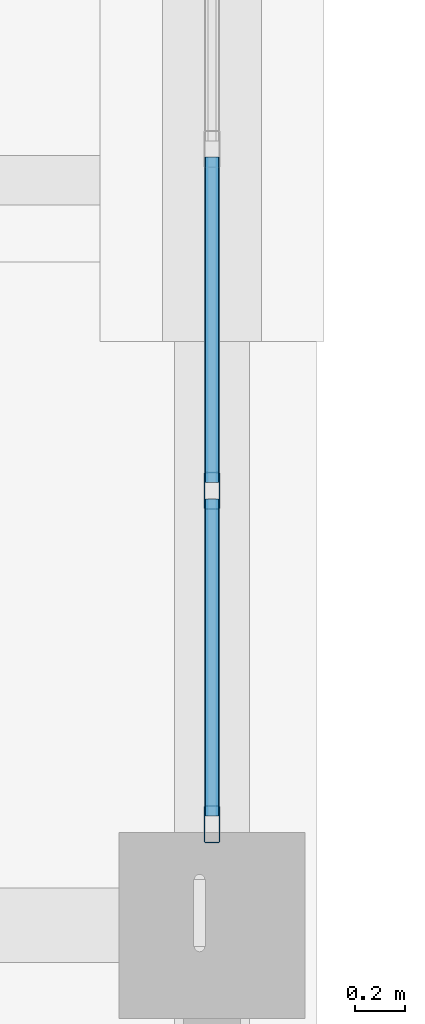
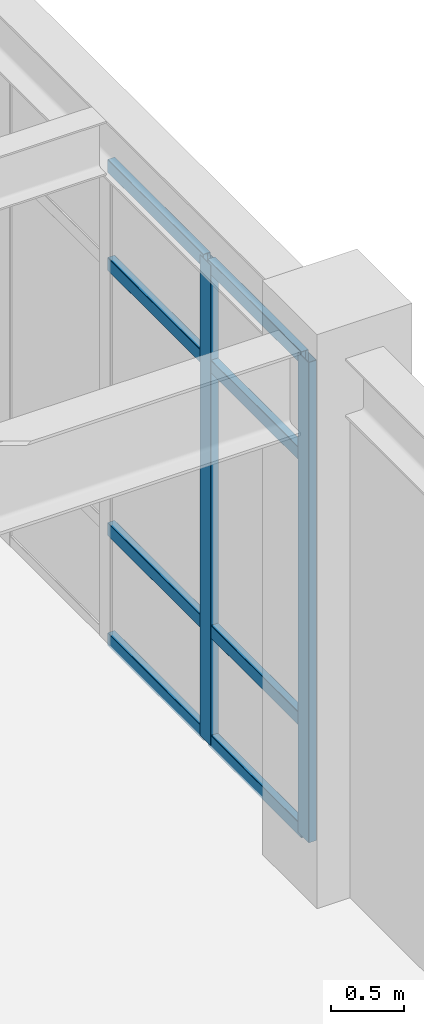
# One storey, part 37 of 98: 10 members, 1 element without a shape of its own.
"""IFC4 building model written with IfcOpenShell, lengths in metres."""

from ifc_helpers import new_model, si_unit, direction, frame, origin, origin_2d, place, context, subcontext, project, spatial, hollow_rectangle, extrude, material, material_profile, profile_set, type_object, element, aggregate, save


model = new_model("IFC4")

# Units and contexts
model_context = context("Model", 3, precision=1e-05, world=origin(), true_north=direction((0.0, 1.0)))
body_context = subcontext(model_context, "Body", "Model", "MODEL_VIEW")
ifc_project = project(units=[si_unit("LENGTHUNIT", "METRE"), si_unit("AREAUNIT", "SQUARE_METRE"), si_unit("VOLUMEUNIT", "CUBIC_METRE"), si_unit("PLANEANGLEUNIT", "RADIAN"), si_unit("MASSUNIT", "GRAM", prefix="KILO")], contexts=[model_context])

# Site, building, storey
site_placement = place(None, origin())
site = spatial("IfcSite", under=ifc_project, at=site_placement, CompositionType="ELEMENT")
building_placement = place(site_placement, origin())
building = spatial("IfcBuilding", under=site, at=building_placement, Name="Canglan Escarpment Cableway Terminal", CompositionType="ELEMENT")
storey_placement = place(building_placement, frame((0.0, 0.0, 9.60009765625)))
storey = spatial("IfcBuildingStorey", under=building, at=storey_placement, Name="L02", CompositionType="ELEMENT", Elevation=9.60009765625)

# Curtain wall, members
ifc_material_1 = material(Name="Anodized bronze aluminium and Low-E double glazing", Category="aluminium")
curtain_wall_type = type_object("IfcCurtainWallType", Name="CW-BAY-8250x4025", PredefinedType="NOTDEFINED", material=ifc_material_1)
curtain_wall_placement = place(storey_placement, origin())
curtain_wall = element("IfcCurtainWall", 1, at=curtain_wall_placement, inside=storey, type_object=curtain_wall_type, Name="Classical bay-between-piers glazed curtain wall CW-43", PredefinedType="NOTDEFINED")
ifc_material_2 = material(Name="Thermally broken anodized aluminium 6063-T6", Category="aluminium")
ifc_material_profile_1 = material_profile(ifc_material_2, hollow_rectangle(XDim=0.06494140625, YDim=0.14990234375, WallThickness=0.00341796875, InnerFilletRadius=0.00341796875, OuterFilletRadius=0.007080078125, at=origin_2d()), Name="ALU-MULL 65x150x3.5")
ifc_profile_set_1 = profile_set([ifc_material_profile_1], Name="Thermally broken anodized aluminium 6063-T6")
member_type_1 = type_object("IfcMemberType", Name="CWM-02", PredefinedType="MULLION", material=ifc_profile_set_1)
member_1_placement = place(storey_placement, frame((136.699951171875, 52.407470703125, 0.0), z_axis=(0.0, 0.0, 1.0), x_axis=(-1.0, 0.0, 0.0)))
member_1 = element("IfcMember", 2, at=member_1_placement, type_object=member_type_1, Name="CW-43 mullion 1", PredefinedType="MULLION", context=body_context, shape_type="SweptSolid", body=[
    extrude(hollow_rectangle(XDim=0.06494140625, YDim=0.14990234375, WallThickness=0.00341796875, InnerFilletRadius=0.00341796875, OuterFilletRadius=0.007080078125, at=origin_2d()), origin(), (0.0, 0.0, 1.0), 4.016845703125),
])
member_2_placement = place(storey_placement, frame((136.699951171875, 53.75, 0.0), z_axis=(0.0, 0.0, 1.0), x_axis=(-1.0, 0.0, 0.0)))
member_2 = element("IfcMember", 3, at=member_2_placement, type_object=member_type_1, Name="CW-43 mullion 2", PredefinedType="MULLION", context=body_context, shape_type="SweptSolid", body=[
    extrude(hollow_rectangle(XDim=0.06494140625, YDim=0.14990234375, WallThickness=0.00341796875, InnerFilletRadius=0.00341796875, OuterFilletRadius=0.007080078125, at=origin_2d()), origin(), (0.0, 0.0, 1.0), 4.016845703125),
])
ifc_material_profile_2 = material_profile(ifc_material_2, hollow_rectangle(XDim=0.06005859375, YDim=0.110107421875, WallThickness=0.0029296875, InnerFilletRadius=0.0029296875, OuterFilletRadius=0.006103515625, at=origin_2d()), Name="ALU-TRAN 60x110x3")
ifc_profile_set_2 = profile_set([ifc_material_profile_2], Name="Thermally broken anodized aluminium 6063-T6")
member_type_2 = type_object("IfcMemberType", Name="CWT-02", PredefinedType="USERDEFINED", material=ifc_profile_set_2)
member_3_placement = place(storey_placement, frame((136.699951171875, 52.43994140625, 0.02978515625), z_axis=(0.0, 1.0, 0.0), x_axis=(-1.0, 0.0, 0.0)))
member_3 = element("IfcMember", 4, at=member_3_placement, type_object=member_type_2, Name="CW-43 transom 1.1", ObjectType="TRANSOM", PredefinedType="USERDEFINED", context=body_context, shape_type="SweptSolid", body=[
    extrude(hollow_rectangle(XDim=0.06005859375, YDim=0.110107421875, WallThickness=0.0029296875, InnerFilletRadius=0.0029296875, OuterFilletRadius=0.006103515625, at=origin_2d()), origin(), (0.0, 0.0, 1.0), 1.277587890625),
])
member_4_placement = place(storey_placement, frame((136.699951171875, 52.43994140625, 0.949951171875), z_axis=(0.0, 1.0, 0.0), x_axis=(-1.0, 0.0, 0.0)))
member_4 = element("IfcMember", 5, at=member_4_placement, type_object=member_type_2, Name="CW-43 transom 1.2", ObjectType="TRANSOM", PredefinedType="USERDEFINED", context=body_context, shape_type="SweptSolid", body=[
    extrude(hollow_rectangle(XDim=0.06005859375, YDim=0.110107421875, WallThickness=0.0029296875, InnerFilletRadius=0.0029296875, OuterFilletRadius=0.006103515625, at=origin_2d()), origin(), (0.0, 0.0, 1.0), 1.277587890625),
])
member_5_placement = place(storey_placement, frame((136.699951171875, 52.43994140625, 3.1669921875), z_axis=(0.0, 1.0, 0.0), x_axis=(-1.0, 0.0, 0.0)))
member_5 = element("IfcMember", 6, at=member_5_placement, type_object=member_type_2, Name="CW-43 transom 1.3", ObjectType="TRANSOM", PredefinedType="USERDEFINED", context=body_context, shape_type="SweptSolid", body=[
    extrude(hollow_rectangle(XDim=0.06005859375, YDim=0.110107421875, WallThickness=0.0029296875, InnerFilletRadius=0.0029296875, OuterFilletRadius=0.006103515625, at=origin_2d()), origin(), (0.0, 0.0, 1.0), 1.277587890625),
])
member_6_placement = place(storey_placement, frame((136.699951171875, 52.43994140625, 3.98681640625), z_axis=(0.0, 1.0, 0.0), x_axis=(-1.0, 0.0, 0.0)))
member_6 = element("IfcMember", 7, at=member_6_placement, type_object=member_type_2, Name="CW-43 transom 1.4", ObjectType="TRANSOM", PredefinedType="USERDEFINED", context=body_context, shape_type="SweptSolid", body=[
    extrude(hollow_rectangle(XDim=0.06005859375, YDim=0.110107421875, WallThickness=0.0029296875, InnerFilletRadius=0.0029296875, OuterFilletRadius=0.006103515625, at=origin_2d()), origin(), (0.0, 0.0, 1.0), 1.277587890625),
])
member_7_placement = place(storey_placement, frame((136.699951171875, 53.782470703125, 0.02978515625), z_axis=(0.0, 1.0, 0.0), x_axis=(-1.0, 0.0, 0.0)))
member_7 = element("IfcMember", 8, at=member_7_placement, type_object=member_type_2, Name="CW-43 transom 2.1", ObjectType="TRANSOM", PredefinedType="USERDEFINED", context=body_context, shape_type="SweptSolid", body=[
    extrude(hollow_rectangle(XDim=0.06005859375, YDim=0.110107421875, WallThickness=0.0029296875, InnerFilletRadius=0.0029296875, OuterFilletRadius=0.006103515625, at=origin_2d()), origin(), (0.0, 0.0, 1.0), 1.31005859375),
])
member_8_placement = place(storey_placement, frame((136.699951171875, 53.782470703125, 0.949951171875), z_axis=(0.0, 1.0, 0.0), x_axis=(-1.0, 0.0, 0.0)))
member_8 = element("IfcMember", 9, at=member_8_placement, type_object=member_type_2, Name="CW-43 transom 2.2", ObjectType="TRANSOM", PredefinedType="USERDEFINED", context=body_context, shape_type="SweptSolid", body=[
    extrude(hollow_rectangle(XDim=0.06005859375, YDim=0.110107421875, WallThickness=0.0029296875, InnerFilletRadius=0.0029296875, OuterFilletRadius=0.006103515625, at=origin_2d()), origin(), (0.0, 0.0, 1.0), 1.31005859375),
])
member_9_placement = place(storey_placement, frame((136.699951171875, 53.782470703125, 3.1669921875), z_axis=(0.0, 1.0, 0.0), x_axis=(-1.0, 0.0, 0.0)))
member_9 = element("IfcMember", 10, at=member_9_placement, type_object=member_type_2, Name="CW-43 transom 2.3", ObjectType="TRANSOM", PredefinedType="USERDEFINED", context=body_context, shape_type="SweptSolid", body=[
    extrude(hollow_rectangle(XDim=0.06005859375, YDim=0.110107421875, WallThickness=0.0029296875, InnerFilletRadius=0.0029296875, OuterFilletRadius=0.006103515625, at=origin_2d()), origin(), (0.0, 0.0, 1.0), 1.31005859375),
])
member_10_placement = place(storey_placement, frame((136.699951171875, 53.782470703125, 3.98681640625), z_axis=(0.0, 1.0, 0.0), x_axis=(-1.0, 0.0, 0.0)))
member_10 = element("IfcMember", 11, at=member_10_placement, type_object=member_type_2, Name="CW-43 transom 2.4", ObjectType="TRANSOM", PredefinedType="USERDEFINED", context=body_context, shape_type="SweptSolid", body=[
    extrude(hollow_rectangle(XDim=0.06005859375, YDim=0.110107421875, WallThickness=0.0029296875, InnerFilletRadius=0.0029296875, OuterFilletRadius=0.006103515625, at=origin_2d()), origin(), (0.0, 0.0, 1.0), 1.31005859375),
])
aggregate(curtain_wall, [member_1, member_2, member_3, member_4, member_5, member_6, member_7, member_8, member_9, member_10])

save(model, "model.ifc")
